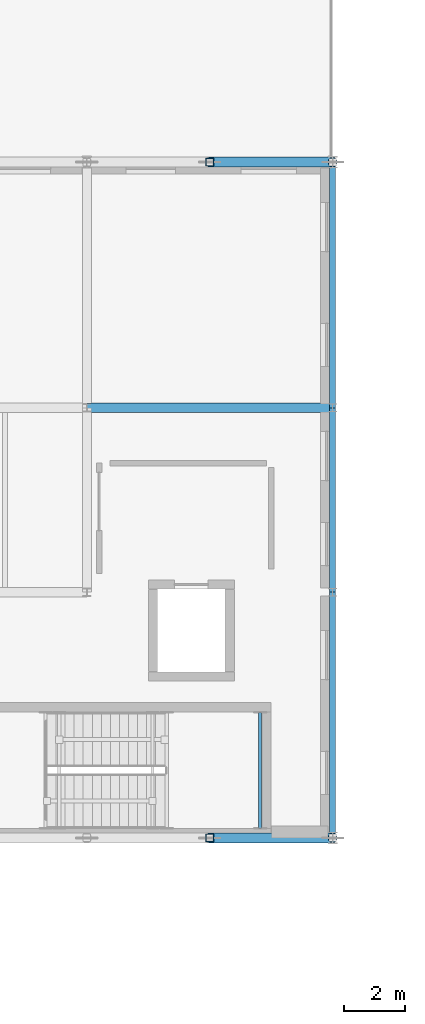
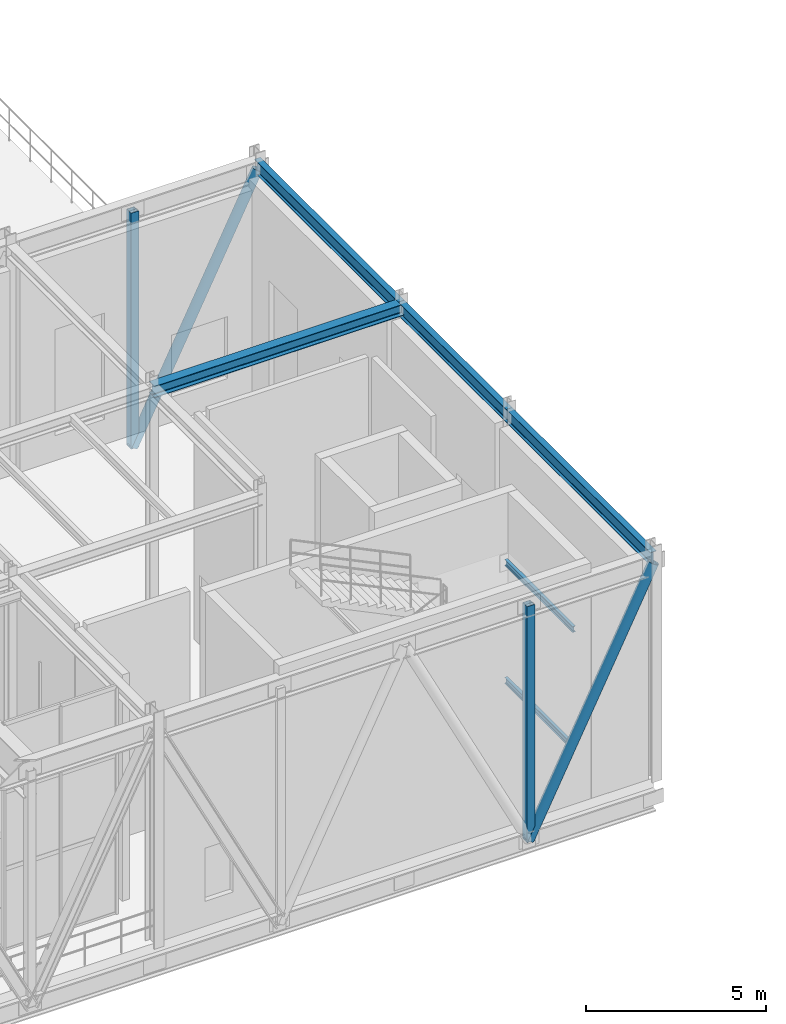
# One storey, part 35 of 138: 6 beams, 4 members.
"""IFC4 building model written with IfcOpenShell, lengths in metres."""

from ifc_helpers import new_model, si_unit, direction, frame, origin, origin_2d, place, context, subcontext, project, spatial, hollow_rectangle, hollow_circle, i_section, extrude, material, material_profile, profile_set, type_object, element, save


model = new_model("IFC4")

# Units and contexts
model_context = context("Model", 3, precision=1e-05, world=origin(), true_north=direction((0.0, 1.0)))
body_context = subcontext(model_context, "Body", "Model", "MODEL_VIEW")
ifc_project = project(units=[si_unit("LENGTHUNIT", "METRE"), si_unit("AREAUNIT", "SQUARE_METRE"), si_unit("VOLUMEUNIT", "CUBIC_METRE"), si_unit("PLANEANGLEUNIT", "RADIAN"), si_unit("MASSUNIT", "GRAM", prefix="KILO")], contexts=[model_context])

# Site, building, storey
site_placement = place(None, origin())
site = spatial("IfcSite", under=ifc_project, at=site_placement, CompositionType="ELEMENT")
building_placement = place(site_placement, origin())
building = spatial("IfcBuilding", under=site, at=building_placement, Name="Sundkrona Museum", CompositionType="ELEMENT")
storey_placement = place(building_placement, frame((0.0, 0.0, 9.60009765625)))
storey = spatial("IfcBuildingStorey", under=building, at=storey_placement, Name="L02", CompositionType="ELEMENT", Elevation=9.60009765625)

# Beams
ifc_material_1 = material(Name="Steel S355J2", Category="steel")
ifc_material_profile_1 = material_profile(ifc_material_1, i_section(OverallWidth=0.300048828125, OverallDepth=0.389892578125, WebThickness=0.010986328125, FlangeThickness=0.01904296875, FilletRadius=0.027099609375, at=origin_2d()), Name="HEA 400")
ifc_profile_set_1 = profile_set([ifc_material_profile_1], Name="Steel S355J2")
beam_type_1 = type_object("IfcBeamType", Name="B-HEA400", PredefinedType="BEAM", material=ifc_profile_set_1)
beam_1_placement = place(storey_placement, frame((32.0, 46.0, 7.47998046875), z_axis=(1.0, 0.0, 0.0), x_axis=(0.0, 1.0, 0.0)))
element("IfcBeam", 1, at=beam_1_placement, inside=storey, type_object=beam_type_1, Name="L02 Girder X-1175", PredefinedType="BEAM", context=body_context, shape_type="SweptSolid", body=[
    extrude(i_section(OverallWidth=0.300048828125, OverallDepth=0.389892578125, WebThickness=0.010986328125, FlangeThickness=0.01904296875, FilletRadius=0.027099609375, at=origin_2d()), origin(), (0.0, 0.0, 1.0), 8.0),
])
ifc_material_profile_2 = material_profile(ifc_material_1, i_section(OverallWidth=0.10009765625, OverallDepth=0.199951171875, WebThickness=0.005615234375, FlangeThickness=0.008544921875, FilletRadius=0.011962890625, at=origin_2d()), Name="IPE 200")
ifc_profile_set_2 = profile_set([ifc_material_profile_2], Name="Steel S355J2")
beam_type_2 = type_object("IfcBeamType", Name="J-IPE200", PredefinedType="JOIST", material=ifc_profile_set_2)
for number, where, z_axis, x_axis, name in (
    (2, (37.63671875, 32.31005859375, 1.679931640625), (0.0, 1.0, 0.0), (-1.0, 0.0, 0.0), "L02 ST-4 Mid-Landing Trimmer Beam 1B"),
    (3, (37.63671875, 32.31005859375, 5.679931640625), (0.0, 1.0, 0.0), (-1.0, 0.0, 0.0), "L02 ST-4 Mid-Landing Trimmer Beam 3B"),
):
    element("IfcBeam", number, at=place(storey_placement, frame(where, z_axis=z_axis, x_axis=x_axis)), inside=storey, type_object=beam_type_2, Name=name, PredefinedType="JOIST", context=body_context, shape_type="SweptSolid", body=[
        extrude(i_section(OverallWidth=0.10009765625, OverallDepth=0.199951171875, WebThickness=0.005615234375, FlangeThickness=0.008544921875, FilletRadius=0.011962890625, at=origin_2d()), origin(), (0.0, 0.0, 1.0), 3.780029296875),
    ])
ifc_material_profile_3 = material_profile(ifc_material_1, i_section(OverallWidth=0.18994140625, OverallDepth=0.449951171875, WebThickness=0.009521484375, FlangeThickness=0.0146484375, FilletRadius=0.02099609375, at=origin_2d()), Name="IPE 450")
ifc_profile_set_3 = profile_set([ifc_material_profile_3], Name="Steel S355J2")
beam_type_3 = type_object("IfcBeamType", Name="SP-IPE450", PredefinedType="SPANDREL", material=ifc_profile_set_3)
beam_2_placement = place(storey_placement, frame((40.0, 32.0, 7.449951171875), z_axis=(0.0, 1.0, 0.0), x_axis=(-1.0, 0.0, 0.0)))
element("IfcBeam", 4, at=beam_2_placement, inside=storey, type_object=beam_type_3, Name="L02 Girder Y-1282", PredefinedType="SPANDREL", context=body_context, shape_type="SweptSolid", body=[
    extrude(i_section(OverallWidth=0.18994140625, OverallDepth=0.449951171875, WebThickness=0.009521484375, FlangeThickness=0.0146484375, FilletRadius=0.02099609375, at=origin_2d()), origin(), (0.0, 0.0, 1.0), 8.0),
])
beam_3_placement = place(storey_placement, frame((40.0, 40.0, 7.449951171875), z_axis=(0.0, 1.0, 0.0), x_axis=(-1.0, 0.0, 0.0)))
element("IfcBeam", 5, at=beam_3_placement, inside=storey, type_object=beam_type_3, Name="L02 Girder Y-1283", PredefinedType="SPANDREL", context=body_context, shape_type="SweptSolid", body=[
    extrude(i_section(OverallWidth=0.18994140625, OverallDepth=0.449951171875, WebThickness=0.009521484375, FlangeThickness=0.0146484375, FilletRadius=0.02099609375, at=origin_2d()), origin(), (0.0, 0.0, 1.0), 6.0),
])
beam_4_placement = place(storey_placement, frame((40.0, 46.0, 7.449951171875), z_axis=(0.0, 1.0, 0.0), x_axis=(-1.0, 0.0, 0.0)))
element("IfcBeam", 6, at=beam_4_placement, inside=storey, type_object=beam_type_3, Name="L02 Girder Y-1284", PredefinedType="SPANDREL", context=body_context, shape_type="SweptSolid", body=[
    extrude(i_section(OverallWidth=0.18994140625, OverallDepth=0.449951171875, WebThickness=0.009521484375, FlangeThickness=0.0146484375, FilletRadius=0.02099609375, at=origin_2d()), origin(), (0.0, 0.0, 1.0), 8.0),
])

# Members
ifc_material_2 = material(Name="Steel S460M", Category="steel")
ifc_material_profile_4 = material_profile(ifc_material_2, hollow_circle(Radius=0.161865234375, WallThickness=0.01611328125, at=origin_2d()), Name="CHS 323.9x16.0")
ifc_profile_set_4 = profile_set([ifc_material_profile_4], Name="Steel S460M")
member_type_1 = type_object("IfcMemberType", Name="ST-CHS324", PredefinedType="STRUT", material=ifc_profile_set_4)
for number, where, z_axis, x_axis, name in (
    (7, (36.0, 32.0, -0.68017578125), (0.4472135955, 0.0, 0.894427191), (0.0, 1.0, 0.0), "TRS-1 Cantilever Transfer Truss S Web Diagonal 9"),
    (8, (36.0, 54.0, -0.68017578125), (0.4472135955, 0.0, 0.894427191), (0.0, 1.0, 0.0), "TRS-1 Cantilever Transfer Truss N Web Diagonal 9"),
):
    element("IfcMember", number, at=place(storey_placement, frame(where, z_axis=z_axis, x_axis=x_axis)), inside=storey, type_object=member_type_1, Name=name, PredefinedType="STRUT", context=body_context, shape_type="SweptSolid", body=[
        extrude(hollow_circle(Radius=0.161865234375, WallThickness=0.01611328125, at=origin_2d()), origin(), (0.0, 0.0, 1.0), 8.9443359375),
    ])
ifc_material_profile_5 = material_profile(ifc_material_2, hollow_rectangle(XDim=0.25, YDim=0.25, WallThickness=0.012451171875, at=origin_2d()), Name="SHS 250x250x12.5")
ifc_profile_set_5 = profile_set([ifc_material_profile_5], Name="Steel S460M")
member_type_2 = type_object("IfcMemberType", Name="ST-SHS250", PredefinedType="STRUT", material=ifc_profile_set_5)
for number, where, z_axis, x_axis, name in (
    (9, (36.0, 32.0, -0.68017578125), (0.0, 0.0, 1.0), (1.0, 0.0, 0.0), "TRS-1 Cantilever Transfer Truss S Vertical Post 9"),
    (10, (36.0, 54.0, -0.68017578125), (0.0, 0.0, 1.0), (1.0, 0.0, 0.0), "TRS-1 Cantilever Transfer Truss N Vertical Post 9"),
):
    element("IfcMember", number, at=place(storey_placement, frame(where, z_axis=z_axis, x_axis=x_axis)), inside=storey, type_object=member_type_2, Name=name, PredefinedType="STRUT", context=body_context, shape_type="SweptSolid", body=[
        extrude(hollow_rectangle(XDim=0.25, YDim=0.25, WallThickness=0.012451171875, at=origin_2d()), origin(), (0.0, 0.0, 1.0), 8.0),
    ])

save(model, "model.ifc")
